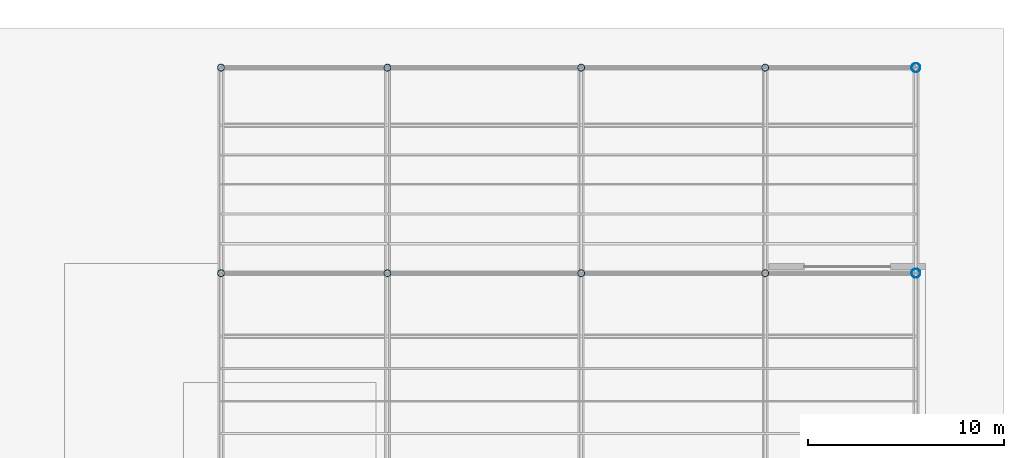
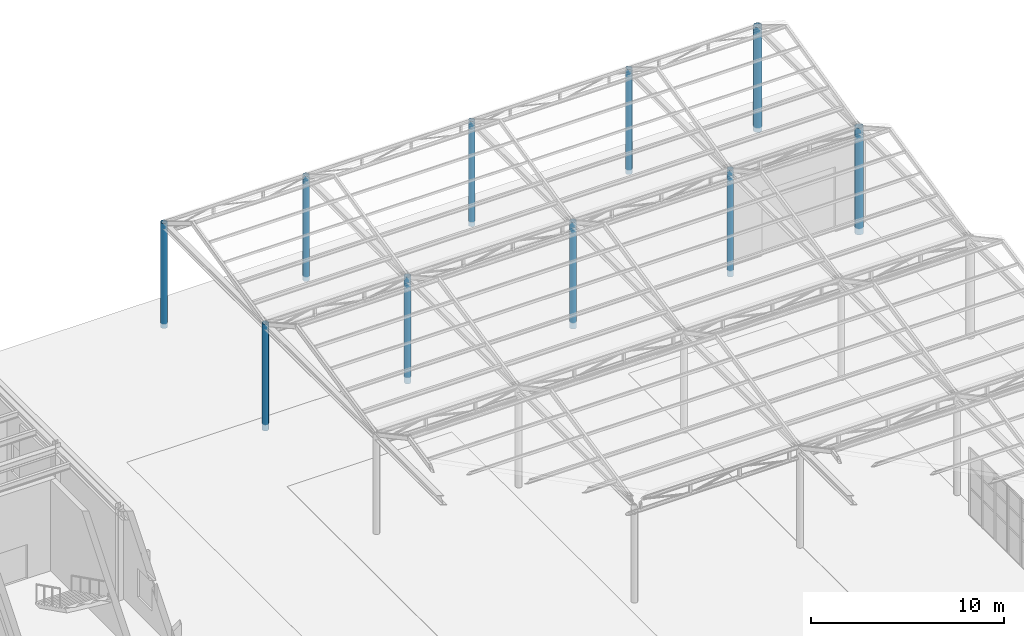
# One storey, part 17 of 118: 10 columns.
"""IFC4 building model written with IfcOpenShell, lengths in metres."""

from ifc_helpers import new_model, si_unit, direction, frame, origin, origin_2d, place, context, subcontext, project, spatial, hollow_circle, extrude, material, material_profile, profile_set, type_object, element, save


model = new_model("IFC4")

# Units and contexts
model_context = context("Model", 3, precision=1e-05, world=origin(), true_north=direction((0.0, 1.0)))
body_context = subcontext(model_context, "Body", "Model", "MODEL_VIEW")
ifc_project = project(units=[si_unit("LENGTHUNIT", "METRE"), si_unit("AREAUNIT", "SQUARE_METRE"), si_unit("VOLUMEUNIT", "CUBIC_METRE"), si_unit("PLANEANGLEUNIT", "RADIAN"), si_unit("MASSUNIT", "GRAM", prefix="KILO")], contexts=[model_context])

# Site, building, storey
site_placement = place(None, origin())
site = spatial("IfcSite", under=ifc_project, at=site_placement, CompositionType="ELEMENT")
building_placement = place(site_placement, origin())
building = spatial("IfcBuilding", under=site, at=building_placement, Name="Kolvaren Corner Interchange", CompositionType="ELEMENT")
storey_placement = place(building_placement, origin())
storey = spatial("IfcBuildingStorey", under=building, at=storey_placement, Name="L01", CompositionType="ELEMENT", Elevation=0.0)

# Columns
ifc_material_1 = material(Name="Steel S355", Category="steel")
ifc_material_profile_1 = material_profile(ifc_material_1, hollow_circle(Radius=0.177734375, WallThickness=0.01416015625, at=origin_2d()), Name="CHS 355.6x14.2")
ifc_profile_set_1 = profile_set([ifc_material_profile_1], Name="Steel S355")
column_type_1 = type_object("IfcColumnType", Name="COL-CHS356", PredefinedType="COLUMN", material=ifc_profile_set_1)
column_1_placement = place(storey_placement, frame((128.0, 101.5, -0.39990234375), z_axis=(0.0, 0.0, 1.0), x_axis=(1.0, 0.0, 0.0)))
element("IfcColumn", 1, at=column_1_placement, inside=storey, type_object=column_type_1, Name="Storey L01 Structural Column 0944", PredefinedType="COLUMN", context=body_context, shape_type="SweptSolid", body=[
    extrude(hollow_circle(Radius=0.177734375, WallThickness=0.01416015625, at=origin_2d()), origin(), (0.0, 0.0, 1.0), 6.75),
])
column_2_placement = place(storey_placement, frame((128.0, 112.0, -0.2900390625), z_axis=(0.0, 0.0, 1.0), x_axis=(1.0, 0.0, 0.0)))
element("IfcColumn", 2, at=column_2_placement, inside=storey, type_object=column_type_1, Name="Storey L01 Structural Column 0945", PredefinedType="COLUMN", context=body_context, shape_type="SweptSolid", body=[
    extrude(hollow_circle(Radius=0.177734375, WallThickness=0.01416015625, at=origin_2d()), origin(), (0.0, 0.0, 1.0), 6.64013671875),
])
column_3_placement = place(storey_placement, frame((136.5, 101.5, -0.39990234375), z_axis=(0.0, 0.0, 1.0), x_axis=(1.0, 0.0, 0.0)))
element("IfcColumn", 3, at=column_3_placement, inside=storey, type_object=column_type_1, Name="Storey L01 Structural Column 0952", PredefinedType="COLUMN", context=body_context, shape_type="SweptSolid", body=[
    extrude(hollow_circle(Radius=0.177734375, WallThickness=0.01416015625, at=origin_2d()), origin(), (0.0, 0.0, 1.0), 6.75),
])
column_4_placement = place(storey_placement, frame((136.5, 112.0, -0.2900390625), z_axis=(0.0, 0.0, 1.0), x_axis=(1.0, 0.0, 0.0)))
element("IfcColumn", 4, at=column_4_placement, inside=storey, type_object=column_type_1, Name="Storey L01 Structural Column 0953", PredefinedType="COLUMN", context=body_context, shape_type="SweptSolid", body=[
    extrude(hollow_circle(Radius=0.177734375, WallThickness=0.01416015625, at=origin_2d()), origin(), (0.0, 0.0, 1.0), 6.64013671875),
])
column_5_placement = place(storey_placement, frame((146.39990234375, 101.5, -0.39990234375), z_axis=(0.0, 0.0, 1.0), x_axis=(1.0, 0.0, 0.0)))
element("IfcColumn", 5, at=column_5_placement, inside=storey, type_object=column_type_1, Name="Storey L01 Structural Column 0966", PredefinedType="COLUMN", context=body_context, shape_type="SweptSolid", body=[
    extrude(hollow_circle(Radius=0.177734375, WallThickness=0.01416015625, at=origin_2d()), origin(), (0.0, 0.0, 1.0), 6.75),
])
column_6_placement = place(storey_placement, frame((146.39990234375, 112.0, -0.2900390625), z_axis=(0.0, 0.0, 1.0), x_axis=(1.0, 0.0, 0.0)))
element("IfcColumn", 6, at=column_6_placement, inside=storey, type_object=column_type_1, Name="Storey L01 Structural Column 0967", PredefinedType="COLUMN", context=body_context, shape_type="SweptSolid", body=[
    extrude(hollow_circle(Radius=0.177734375, WallThickness=0.01416015625, at=origin_2d()), origin(), (0.0, 0.0, 1.0), 6.64013671875),
])
column_7_placement = place(storey_placement, frame((155.800048828125, 101.5, -0.39990234375), z_axis=(0.0, 0.0, 1.0), x_axis=(1.0, 0.0, 0.0)))
element("IfcColumn", 7, at=column_7_placement, inside=storey, type_object=column_type_1, Name="Storey L01 Structural Column 0980", PredefinedType="COLUMN", context=body_context, shape_type="SweptSolid", body=[
    extrude(hollow_circle(Radius=0.177734375, WallThickness=0.01416015625, at=origin_2d()), origin(), (0.0, 0.0, 1.0), 6.75),
])
column_8_placement = place(storey_placement, frame((155.800048828125, 112.0, -0.2900390625), z_axis=(0.0, 0.0, 1.0), x_axis=(1.0, 0.0, 0.0)))
element("IfcColumn", 8, at=column_8_placement, inside=storey, type_object=column_type_1, Name="Storey L01 Structural Column 0981", PredefinedType="COLUMN", context=body_context, shape_type="SweptSolid", body=[
    extrude(hollow_circle(Radius=0.177734375, WallThickness=0.01416015625, at=origin_2d()), origin(), (0.0, 0.0, 1.0), 6.64013671875),
])
ifc_material_2 = material(Name="Steel S355", Category="steel")
ifc_material_profile_2 = material_profile(ifc_material_2, hollow_circle(Radius=0.228515625, WallThickness=0.01611328125, at=origin_2d()), Name="CHS 457.0x16.0")
ifc_profile_set_2 = profile_set([ifc_material_profile_2], Name="Steel S355")
column_type_2 = type_object("IfcColumnType", Name="COL-CHS457", PredefinedType="COLUMN", material=ifc_profile_set_2)
column_9_placement = place(storey_placement, frame((163.5, 101.5, -0.39990234375), z_axis=(0.0, 0.0, 1.0), x_axis=(1.0, 0.0, 0.0)))
element("IfcColumn", 9, at=column_9_placement, inside=storey, type_object=column_type_2, Name="Storey L01 Structural Column 0994", PredefinedType="COLUMN", context=body_context, shape_type="SweptSolid", body=[
    extrude(hollow_circle(Radius=0.228515625, WallThickness=0.01611328125, at=origin_2d()), origin(), (0.0, 0.0, 1.0), 6.75),
])
column_10_placement = place(storey_placement, frame((163.5, 112.0, -0.2900390625), z_axis=(0.0, 0.0, 1.0), x_axis=(1.0, 0.0, 0.0)))
element("IfcColumn", 10, at=column_10_placement, inside=storey, type_object=column_type_2, Name="Storey L01 Structural Column 0995", PredefinedType="COLUMN", context=body_context, shape_type="SweptSolid", body=[
    extrude(hollow_circle(Radius=0.228515625, WallThickness=0.01611328125, at=origin_2d()), origin(), (0.0, 0.0, 1.0), 6.64013671875),
])

save(model, "model.ifc")
